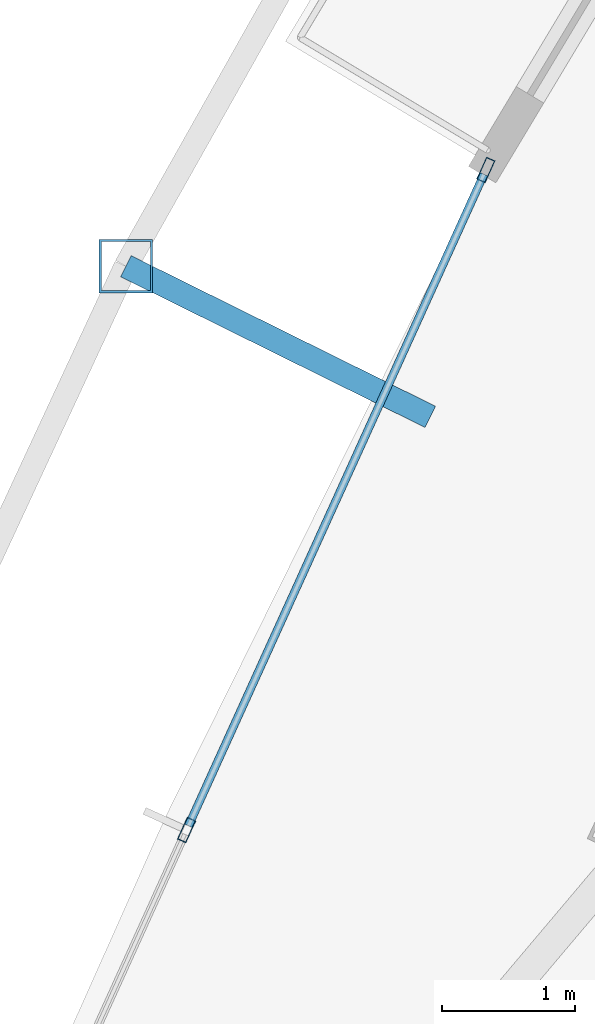
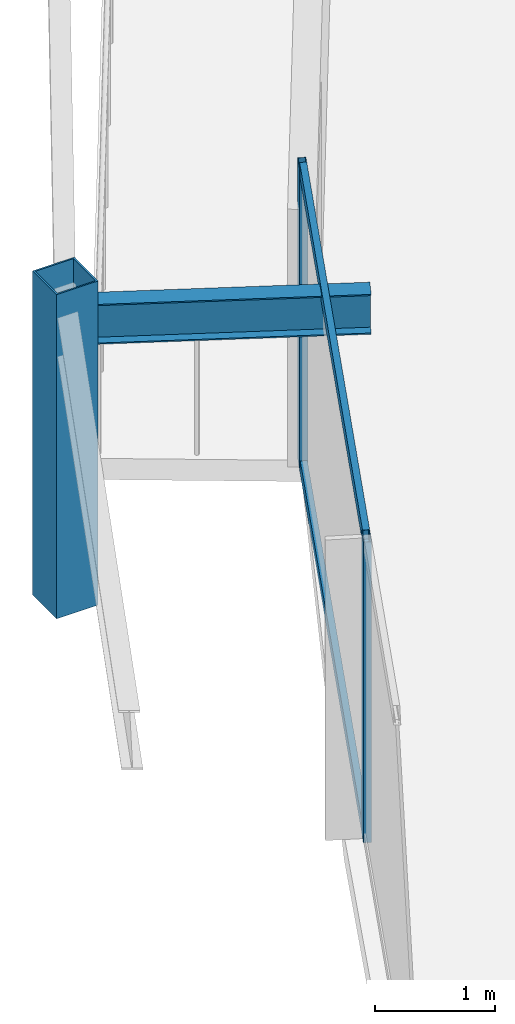
# One storey, part 10 of 29: 5 members, 1 beam, 1 element without a shape of its own.
"""IFC4 building model written with IfcOpenShell, lengths in metres."""

from ifc_helpers import new_model, si_unit, direction, frame, origin, origin_2d, place, context, subcontext, project, spatial, hollow_rectangle, i_section, extrude, material, layer, layer_set, material_profile, profile_set, type_object, element, aggregate, save


model = new_model("IFC4")

# Units and contexts
model_context = context("Model", 3, precision=1e-05, world=origin(), true_north=direction((0.0, 1.0)))
body_context = subcontext(model_context, "Body", "Model", "MODEL_VIEW")
ifc_project = project(units=[si_unit("LENGTHUNIT", "METRE"), si_unit("AREAUNIT", "SQUARE_METRE"), si_unit("VOLUMEUNIT", "CUBIC_METRE"), si_unit("PLANEANGLEUNIT", "RADIAN"), si_unit("MASSUNIT", "GRAM", prefix="KILO")], contexts=[model_context])

# Site, building, storey
site_placement = place(None, origin())
site = spatial("IfcSite", under=ifc_project, at=site_placement, CompositionType="ELEMENT")
building_placement = place(site_placement, origin())
building = spatial("IfcBuilding", under=site, at=building_placement, Name="Orvanel Arch Residences", CompositionType="ELEMENT")
storey_placement = place(building_placement, frame((0.0, 0.0, 160.550048828125)))
storey = spatial("IfcBuildingStorey", under=building, at=storey_placement, Name="L45", CompositionType="ELEMENT", Elevation=160.550048828125)

# Curtain wall, members
ifc_material_1 = material(Name="Bronze-anodised aluminium AA6063-T6", Category="aluminium")
ifc_layer = layer(ifc_material_1, 0.179931640625)
ifc_layer_set = layer_set([ifc_layer], Name="Bronze-anodised aluminium AA6063-T6")
curtain_wall_type = type_object("IfcCurtainWallType", Name="CW3-MID-SYS", PredefinedType="NOTDEFINED", material=ifc_layer_set)
curtain_wall_placement = place(storey_placement, origin())
curtain_wall = element("IfcCurtainWall", 1, at=curtain_wall_placement, inside=storey, type_object=curtain_wall_type, Name="L45 CW3-MID-SYS Unitised Curtain Wall", PredefinedType="NOTDEFINED")
ifc_material_profile_1 = material_profile(ifc_material_1, hollow_rectangle(XDim=0.070068359375, YDim=0.179931640625, WallThickness=0.00439453125, at=origin_2d()), Name="ALU180x70x4.5")
ifc_profile_set_1 = profile_set([ifc_material_profile_1], Name="Bronze-anodised aluminium AA6063-T6")
member_type_1 = type_object("IfcMemberType", Name="MUL-180x70", PredefinedType="MULLION", material=ifc_profile_set_1)
member_1_placement = place(storey_placement, frame((15.04052734375, 24.455078125, 0.0), z_axis=(0.0, 0.0, 1.0), x_axis=(0.910745569556, -0.412967925551, 0.0)))
member_1 = element("IfcMember", 2, at=member_1_placement, type_object=member_type_1, Name="CW-S3 mullion 1", PredefinedType="MULLION", context=body_context, shape_type="SweptSolid", body=[
    extrude(hollow_rectangle(XDim=0.070068359375, YDim=0.179931640625, WallThickness=0.00439453125, at=origin_2d()), origin(), (0.0, 0.0, 1.0), 3.06005859375),
])
member_2_placement = place(storey_placement, frame((12.7939453125, 19.500732421875, 0.0), z_axis=(0.0, 0.0, 1.0), x_axis=(0.910745569556, -0.412967925551, 0.0)))
member_2 = element("IfcMember", 3, at=member_2_placement, type_object=member_type_1, Name="CW-S3 mullion 2", PredefinedType="MULLION", context=body_context, shape_type="SweptSolid", body=[
    extrude(hollow_rectangle(XDim=0.070068359375, YDim=0.179931640625, WallThickness=0.00439453125, at=origin_2d()), origin(), (0.0, 0.0, 1.0), 3.06005859375),
])

# Beam
ifc_material_2 = material(Name="Structural steel AS/NZS 3679.1 Grade 300 (300 MPa)", Category="steel")
ifc_material_profile_2 = material_profile(ifc_material_2, i_section(OverallWidth=0.177978515625, OverallDepth=0.406005859375, WebThickness=0.0078125, FlangeThickness=0.0126953125, at=origin_2d()), Name="410UB59.7")
ifc_profile_set_2 = profile_set([ifc_material_profile_2], Name="Structural steel AS/NZS 3679.1 Grade 300 (300 MPa)")
beam_type = type_object("IfcBeamType", Name="OB-410UB-EXT", PredefinedType="SPANDREL", material=ifc_profile_set_2)
beam_placement = place(storey_placement, frame((14.623046875, 22.60205078125, 2.85693359375), z_axis=(-0.896258111231, 0.443532860173, 0.0), x_axis=(-0.443532860173, -0.896258111231, 0.0)))
element("IfcBeam", 4, at=beam_placement, inside=storey, type_object=beam_type, Name="L45 Outer Frame Radial Tie Beam 03", PredefinedType="SPANDREL", context=body_context, shape_type="SweptSolid", body=[
    extrude(i_section(OverallWidth=0.177978515625, OverallDepth=0.406005859375, WebThickness=0.0078125, FlangeThickness=0.0126953125, at=origin_2d()), origin(), (0.0, 0.0, 1.0), 2.549560546875),
])

# Member
ifc_material_3 = material(Name="Structural steel AS/NZS 1163 C450L0 (Grade 450)", Category="steel")
ifc_material_profile_3 = material_profile(ifc_material_3, hollow_rectangle(XDim=0.39990234375, YDim=0.39990234375, WallThickness=0.01611328125, at=origin_2d()), Name="SHS400x400x16")
ifc_profile_set_3 = profile_set([ifc_material_profile_3], Name="Structural steel AS/NZS 1163 C450L0 (Grade 450)")
member_type_2 = type_object("IfcMemberType", Name="ST-400SHS-EXT", PredefinedType="STRUT", material=ifc_profile_set_3)
member_3_placement = place(storey_placement, frame((12.337890625, 23.73291015625, 0.0), z_axis=(0.0, 0.0, 1.0), x_axis=(1.0, 0.0, 0.0)))
element("IfcMember", 5, at=member_3_placement, inside=storey, type_object=member_type_2, Name="L45 Outer Perimeter Frame Post 03", PredefinedType="STRUT", context=body_context, shape_type="SweptSolid", body=[
    extrude(hollow_rectangle(XDim=0.39990234375, YDim=0.39990234375, WallThickness=0.01611328125, at=origin_2d()), origin(), (0.0, 0.0, 1.0), 3.300048828125),
])

ifc_material_profile_4 = material_profile(ifc_material_1, hollow_rectangle(XDim=0.06005859375, YDim=0.135009765625, WallThickness=0.00390625, at=origin_2d()), Name="ALU135x60x4")
ifc_profile_set_4 = profile_set([ifc_material_profile_4], Name="Bronze-anodised aluminium AA6063-T6")
member_type_3 = type_object("IfcMemberType", Name="TRN-135x60", PredefinedType="USERDEFINED", material=ifc_profile_set_4)
member_4_placement = place(storey_placement, frame((15.026123046875, 24.42333984375, 0.030029296875), z_axis=(-0.41297729539, -0.910741320844, 0.0), x_axis=(0.910741320844, -0.41297729539, 0.0)))
member_4 = element("IfcMember", 6, at=member_4_placement, type_object=member_type_3, Name="CW-S3 transom 1.1", ObjectType="TRANSOM", PredefinedType="USERDEFINED", context=body_context, shape_type="SweptSolid", body=[
    extrude(hollow_rectangle(XDim=0.06005859375, YDim=0.135009765625, WallThickness=0.00390625, at=origin_2d()), origin(), (0.0, 0.0, 1.0), 5.3701171875),
])

member_5_placement = place(storey_placement, frame((15.026123046875, 24.42333984375, 3.030029296875), z_axis=(-0.41297729539, -0.910741320844, 0.0), x_axis=(0.910741320844, -0.41297729539, 0.0)))
member_5 = element("IfcMember", 7, at=member_5_placement, type_object=member_type_3, Name="CW-S3 transom 1.2", ObjectType="TRANSOM", PredefinedType="USERDEFINED", context=body_context, shape_type="SweptSolid", body=[
    extrude(hollow_rectangle(XDim=0.06005859375, YDim=0.135009765625, WallThickness=0.00390625, at=origin_2d()), origin(), (0.0, 0.0, 1.0), 5.3701171875),
])

aggregate(curtain_wall, [member_1, member_2, member_4, member_5])

save(model, "model.ifc")
